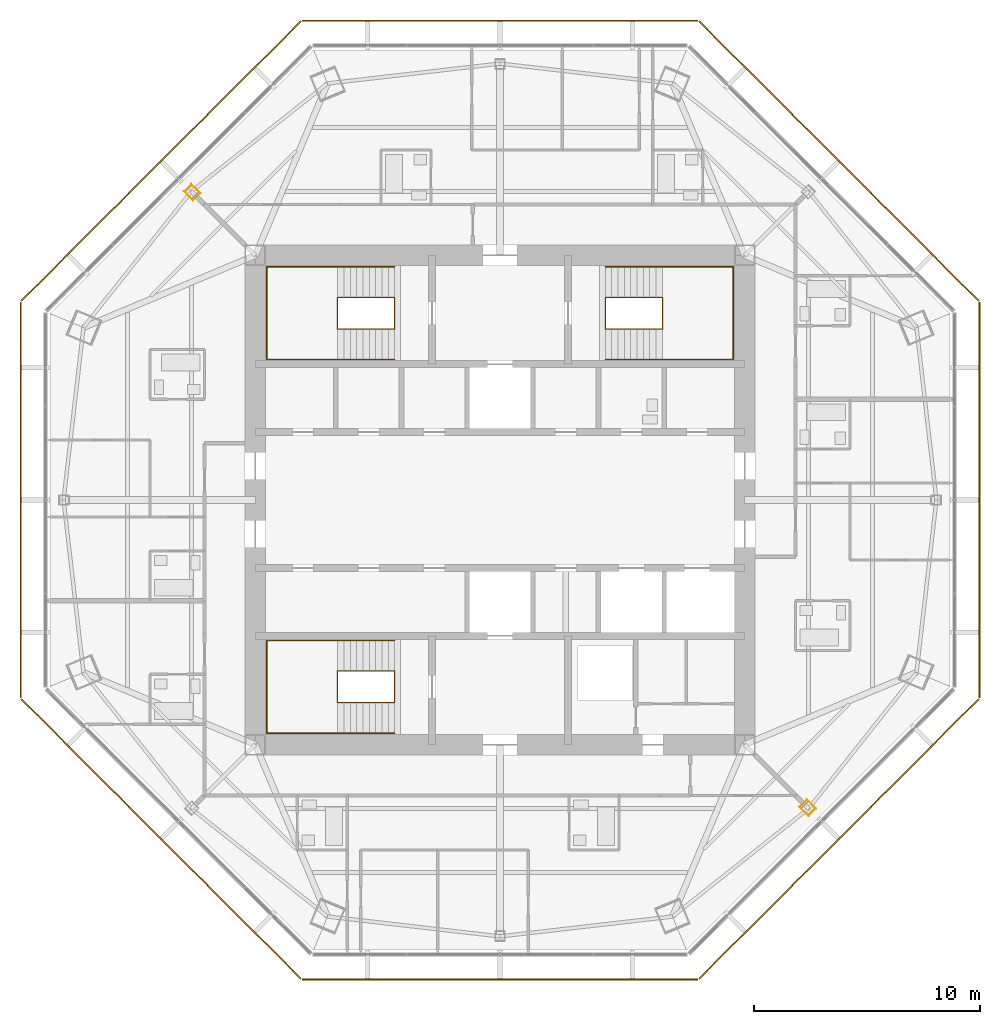
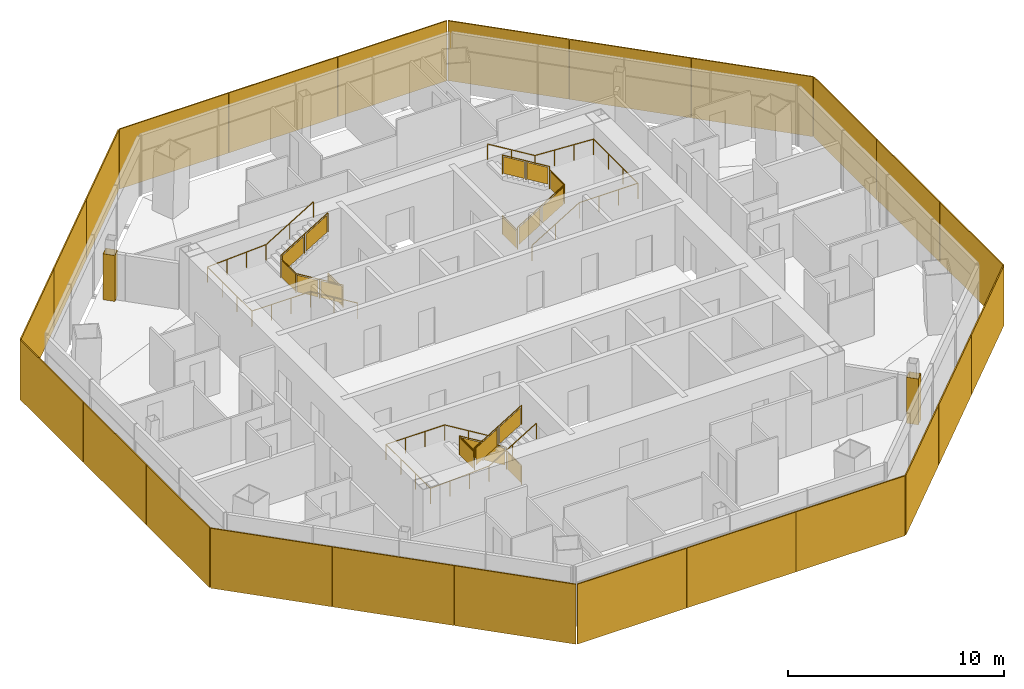
# One storey, part 14 of 15: 24 shading devices, 6 railings, 2 coverings.
"""IFC4 building model written with IfcOpenShell, lengths in metres."""

from ifc_helpers import new_model, si_unit, direction, frame, origin, origin_2d, place, context, subcontext, project, spatial, polyline, rectangle, circle, outline, extrude, source, transform, mapped, material, layer, layer_set, type_object, type_shapes, element, save


model = new_model("IFC4")

# Units and contexts
model_context = context("Model", 3, precision=1e-05, world=origin(), true_north=direction((0.0, 1.0)))
body_context = subcontext(model_context, "Body", "Model", "MODEL_VIEW")
ifc_project = project(units=[si_unit("LENGTHUNIT", "METRE"), si_unit("AREAUNIT", "SQUARE_METRE"), si_unit("VOLUMEUNIT", "CUBIC_METRE"), si_unit("PLANEANGLEUNIT", "RADIAN"), si_unit("MASSUNIT", "GRAM", prefix="KILO")], contexts=[model_context])

# Site, building, storey
site_placement = place(None, origin())
site = spatial("IfcSite", under=ifc_project, at=site_placement, CompositionType="ELEMENT")
building_placement = place(site_placement, origin())
building = spatial("IfcBuilding", under=site, at=building_placement, Name="Mashrafa Tower", CompositionType="ELEMENT")
storey_placement = place(building_placement, frame((0.0, 0.0, 281.0)))
storey = spatial("IfcBuildingStorey", under=building, at=storey_placement, Name="L68", CompositionType="ELEMENT", Elevation=281.0)

# Coverings
ifc_material_1 = material(Name="Gypsum board")
ifc_layer_1 = layer(ifc_material_1, 0.014892578125)
ifc_layer_set_1 = layer_set([ifc_layer_1], Name="Column casing plasterboard 15")
covering_type = type_object("IfcCoveringType", Name="Column casing plasterboard 15", PredefinedType="CLADDING", material=ifc_layer_set_1)
covering_1_placement = place(storey_placement, origin())
element("IfcCovering", 1, at=covering_1_placement, inside=storey, type_object=covering_type, Name="Column casing L68-001", PredefinedType="CLADDING", context=body_context, shape_type="SweptSolid", body=[
    extrude(outline(polyline([(-13.96240234375, 13.622802734375), (-13.622802734375, 13.96240234375), (-13.21533203125, 13.5546875), (-13.5546875, 13.21533203125), (-13.96240234375, 13.622802734375)]), holes=[polyline([(-13.236572265625, 13.5546875), (-13.622802734375, 13.941162109375), (-13.941162109375, 13.622802734375), (-13.5546875, 13.236572265625), (-13.236572265625, 13.5546875)])]), origin(), (0.0, 0.0, 1.0), 2.590576171875),
])
covering_2_placement = place(storey_placement, origin())
element("IfcCovering", 2, at=covering_2_placement, inside=storey, type_object=covering_type, Name="Column casing L68-002", PredefinedType="CLADDING", context=body_context, shape_type="SweptSolid", body=[
    extrude(outline(polyline([(13.21533203125, -13.5546875), (13.5546875, -13.21533203125), (13.96240234375, -13.622802734375), (13.622802734375, -13.96240234375), (13.21533203125, -13.5546875)]), holes=[polyline([(13.941162109375, -13.622802734375), (13.5546875, -13.236572265625), (13.236572265625, -13.5546875), (13.622802734375, -13.941162109375), (13.941162109375, -13.622802734375)])]), origin(), (0.0, 0.0, 1.0), 2.590576171875),
])

# Railings
ifc_material_2 = material(Name="Steel guard with glass infill", Category="steel")
railing_type_1 = type_object("IfcRailingType", Name="Stair guard 1100", PredefinedType="GUARDRAIL", material=ifc_material_2)
railing_1_placement = place(storey_placement, frame((-4.64990234375, 8.949951171875, 0.0)))
element("IfcRailing", 3, at=railing_1_placement, inside=storey, type_object=railing_type_1, Name="Stair S1 guard L68", PredefinedType="GUARDRAIL", context=body_context, shape_type="SweptSolid", body=[
    extrude(circle(Radius=0.02392578125, at=origin_2d()), frame((0.0, 0.0, 1.076171875), z_axis=(0.0, -1.0, 0.0), x_axis=(1.0, 0.0, 0.0)), (0.0, 0.0, 1.0), 1.39990234375),
    extrude(circle(Radius=0.02392578125, at=origin_2d()), frame((0.0, -1.39990234375, 1.076171875), z_axis=(0.0, 0.0, 1.0), x_axis=(1.0, 0.0, 0.0)), (0.0, 0.0, 1.0), 0.169921875),
    extrude(circle(Radius=0.02392578125, at=origin_2d()), frame((0.0, -1.39990234375, 1.24609375), z_axis=(-0.85478489116, 0.0, 0.518982456201), x_axis=(0.0, -1.0, 0.0)), (0.0, 0.0, 1.0), 2.9482421875),
    extrude(circle(Radius=0.02392578125, at=origin_2d()), frame((-2.52001953125, -1.39990234375, 2.77587890625), z_axis=(0.0, 1.0, 0.0), x_axis=(-1.0, 0.0, 0.0)), (0.0, 0.0, 1.0), 1.39990234375),
    extrude(circle(Radius=0.02392578125, at=origin_2d()), frame((-2.52001953125, 0.0, 2.77587890625), z_axis=(0.0, 0.0, 1.0), x_axis=(1.0, 0.0, 0.0)), (0.0, 0.0, 1.0), 0.170166015625),
    extrude(circle(Radius=0.02392578125, at=origin_2d()), frame((-2.52001953125, 0.0, 2.9462890625), z_axis=(0.854821627497, 0.0, 0.518921945155), x_axis=(0.0, 1.0, 0.0)), (0.0, 0.0, 1.0), 2.947998046875),
    extrude(circle(Radius=0.02099609375, at=origin_2d()), origin(), (0.0, 0.0, 1.0), 1.052001953125),
    extrude(circle(Radius=0.02099609375, at=origin_2d()), frame((0.0, -1.39990234375, 0.0)), (0.0, 0.0, 1.0), 1.052001953125),
    extrude(circle(Radius=0.02099609375, at=origin_2d()), frame((0.0, -1.39990234375, 0.169921875)), (0.0, 0.0, 1.0), 1.052001953125),
    extrude(circle(Radius=0.02099609375, at=origin_2d()), frame((-1.260009765625, -1.39990234375, 0.93505859375)), (0.0, 0.0, 1.0), 1.052001953125),
    extrude(circle(Radius=0.02099609375, at=origin_2d()), frame((-2.52001953125, -1.39990234375, 1.699951171875)), (0.0, 0.0, 1.0), 1.052001953125),
    extrude(circle(Radius=0.02099609375, at=origin_2d()), frame((-2.52001953125, 0.0, 1.699951171875)), (0.0, 0.0, 1.0), 1.052001953125),
    extrude(circle(Radius=0.02099609375, at=origin_2d()), frame((-2.52001953125, 0.0, 1.8701171875)), (0.0, 0.0, 1.0), 1.052001953125),
    extrude(circle(Radius=0.02099609375, at=origin_2d()), frame((-1.260009765625, 0.0, 2.635009765625)), (0.0, 0.0, 1.0), 1.052001953125),
    extrude(circle(Radius=0.02099609375, at=origin_2d()), frame((0.0, 0.0, 3.39990234375)), (0.0, 0.0, 1.0), 1.052001953125),
    extrude(outline(polyline([(0.071044921875, 0.050048828125), (1.328857421875, 0.050048828125), (1.328857421875, 1.001953125), (0.071044921875, 1.001953125), (0.071044921875, 0.050048828125)])), frame((-0.006103515625, 0.0, 0.0), z_axis=(-1.0, 0.0, 0.0), x_axis=(0.0, -1.0, 0.0)), (0.0, 0.0, 1.0), 0.011962890625),
    extrude(outline(polyline([(0.071044921875, 0.093017578125), (1.18896484375, 0.77197265625), (1.18896484375, 1.723876953125), (0.071044921875, 1.045166015625), (0.071044921875, 0.093017578125)])), frame((0.0, -1.393798828125, 0.169921875), z_axis=(0.0, 1.0, 0.0), x_axis=(-1.0, 0.0, 0.0)), (0.0, 0.0, 1.0), 0.011962890625),
    extrude(outline(polyline([(1.3310546875, 0.858154296875), (2.448974609375, 1.536865234375), (2.448974609375, 2.489013671875), (1.3310546875, 1.81005859375), (1.3310546875, 0.858154296875)])), frame((0.0, -1.393798828125, 0.169921875), z_axis=(0.0, 1.0, 0.0), x_axis=(-1.0, 0.0, 0.0)), (0.0, 0.0, 1.0), 0.011962890625),
    extrude(outline(polyline([(0.071044921875, 0.050048828125), (1.328857421875, 0.050048828125), (1.328857421875, 1.001953125), (0.071044921875, 1.001953125), (0.071044921875, 0.050048828125)])), frame((-2.513916015625, -1.39990234375, 1.699951171875), z_axis=(1.0, 0.0, 0.0), x_axis=(0.0, 1.0, 0.0)), (0.0, 0.0, 1.0), 0.011962890625),
    extrude(outline(polyline([(0.071044921875, 0.093017578125), (1.18896484375, 0.771728515625), (1.18896484375, 1.723876953125), (0.071044921875, 1.045166015625), (0.071044921875, 0.093017578125)])), frame((-2.52001953125, -0.006103515625, 1.8701171875), z_axis=(0.0, -1.0, 0.0), x_axis=(1.0, 0.0, 0.0)), (0.0, 0.0, 1.0), 0.011962890625),
    extrude(outline(polyline([(1.3310546875, 0.85791015625), (2.448974609375, 1.53662109375), (2.448974609375, 2.48876953125), (1.3310546875, 1.81005859375), (1.3310546875, 0.85791015625)])), frame((-2.52001953125, -0.006103515625, 1.8701171875), z_axis=(0.0, -1.0, 0.0), x_axis=(1.0, 0.0, 0.0)), (0.0, 0.0, 1.0), 0.011962890625),
])
railing_2_placement = place(storey_placement, frame((4.64990234375, 8.949951171875, 0.0)))
element("IfcRailing", 4, at=railing_2_placement, inside=storey, type_object=railing_type_1, Name="Stair S2 guard L68", PredefinedType="GUARDRAIL", context=body_context, shape_type="SweptSolid", body=[
    extrude(circle(Radius=0.02392578125, at=origin_2d()), frame((0.0, 0.0, 1.076171875), z_axis=(0.0, -1.0, 0.0), x_axis=(1.0, 0.0, 0.0)), (0.0, 0.0, 1.0), 1.39990234375),
    extrude(circle(Radius=0.02392578125, at=origin_2d()), frame((0.0, -1.39990234375, 1.076171875), z_axis=(0.0, 0.0, 1.0), x_axis=(1.0, 0.0, 0.0)), (0.0, 0.0, 1.0), 0.169921875),
    extrude(circle(Radius=0.02392578125, at=origin_2d()), frame((0.0, -1.39990234375, 1.24609375), z_axis=(0.85478489116, 0.0, 0.518982456201), x_axis=(0.0, 1.0, 0.0)), (0.0, 0.0, 1.0), 2.9482421875),
    extrude(circle(Radius=0.02392578125, at=origin_2d()), frame((2.52001953125, -1.39990234375, 2.77587890625), z_axis=(0.0, 1.0, 0.0), x_axis=(-1.0, 0.0, 0.0)), (0.0, 0.0, 1.0), 1.39990234375),
    extrude(circle(Radius=0.02392578125, at=origin_2d()), frame((2.52001953125, 0.0, 2.77587890625), z_axis=(0.0, 0.0, 1.0), x_axis=(1.0, 0.0, 0.0)), (0.0, 0.0, 1.0), 0.170166015625),
    extrude(circle(Radius=0.02392578125, at=origin_2d()), frame((2.52001953125, 0.0, 2.9462890625), z_axis=(-0.854821627497, 0.0, 0.518921945155), x_axis=(0.0, -1.0, 0.0)), (0.0, 0.0, 1.0), 2.947998046875),
    extrude(circle(Radius=0.02099609375, at=origin_2d()), origin(), (0.0, 0.0, 1.0), 1.052001953125),
    extrude(circle(Radius=0.02099609375, at=origin_2d()), frame((0.0, -1.39990234375, 0.0)), (0.0, 0.0, 1.0), 1.052001953125),
    extrude(circle(Radius=0.02099609375, at=origin_2d()), frame((0.0, -1.39990234375, 0.169921875)), (0.0, 0.0, 1.0), 1.052001953125),
    extrude(circle(Radius=0.02099609375, at=origin_2d()), frame((1.260009765625, -1.39990234375, 0.93505859375)), (0.0, 0.0, 1.0), 1.052001953125),
    extrude(circle(Radius=0.02099609375, at=origin_2d()), frame((2.52001953125, -1.39990234375, 1.699951171875)), (0.0, 0.0, 1.0), 1.052001953125),
    extrude(circle(Radius=0.02099609375, at=origin_2d()), frame((2.52001953125, 0.0, 1.699951171875)), (0.0, 0.0, 1.0), 1.052001953125),
    extrude(circle(Radius=0.02099609375, at=origin_2d()), frame((2.52001953125, 0.0, 1.8701171875)), (0.0, 0.0, 1.0), 1.052001953125),
    extrude(circle(Radius=0.02099609375, at=origin_2d()), frame((1.260009765625, 0.0, 2.635009765625)), (0.0, 0.0, 1.0), 1.052001953125),
    extrude(circle(Radius=0.02099609375, at=origin_2d()), frame((0.0, 0.0, 3.39990234375)), (0.0, 0.0, 1.0), 1.052001953125),
    extrude(outline(polyline([(0.071044921875, 0.050048828125), (1.328857421875, 0.050048828125), (1.328857421875, 1.001953125), (0.071044921875, 1.001953125), (0.071044921875, 0.050048828125)])), frame((-0.006103515625, 0.0, 0.0), z_axis=(-1.0, 0.0, 0.0), x_axis=(0.0, -1.0, 0.0)), (0.0, 0.0, 1.0), 0.011962890625),
    extrude(outline(polyline([(0.071044921875, 0.093017578125), (1.18896484375, 0.77197265625), (1.18896484375, 1.723876953125), (0.071044921875, 1.045166015625), (0.071044921875, 0.093017578125)])), frame((0.0, -1.406005859375, 0.169921875), z_axis=(0.0, -1.0, 0.0), x_axis=(1.0, 0.0, 0.0)), (0.0, 0.0, 1.0), 0.011962890625),
    extrude(outline(polyline([(1.3310546875, 0.858154296875), (2.448974609375, 1.536865234375), (2.448974609375, 2.489013671875), (1.3310546875, 1.81005859375), (1.3310546875, 0.858154296875)])), frame((0.0, -1.406005859375, 0.169921875), z_axis=(0.0, -1.0, 0.0), x_axis=(1.0, 0.0, 0.0)), (0.0, 0.0, 1.0), 0.011962890625),
    extrude(outline(polyline([(0.071044921875, 0.050048828125), (1.328857421875, 0.050048828125), (1.328857421875, 1.001953125), (0.071044921875, 1.001953125), (0.071044921875, 0.050048828125)])), frame((2.526123046875, -1.39990234375, 1.699951171875), z_axis=(1.0, 0.0, 0.0), x_axis=(0.0, 1.0, 0.0)), (0.0, 0.0, 1.0), 0.011962890625),
    extrude(outline(polyline([(0.071044921875, 0.093017578125), (1.18896484375, 0.771728515625), (1.18896484375, 1.723876953125), (0.071044921875, 1.045166015625), (0.071044921875, 0.093017578125)])), frame((2.52001953125, 0.006103515625, 1.8701171875), z_axis=(0.0, 1.0, 0.0), x_axis=(-1.0, 0.0, 0.0)), (0.0, 0.0, 1.0), 0.011962890625),
    extrude(outline(polyline([(1.3310546875, 0.85791015625), (2.448974609375, 1.53662109375), (2.448974609375, 2.48876953125), (1.3310546875, 1.81005859375), (1.3310546875, 0.85791015625)])), frame((2.52001953125, 0.006103515625, 1.8701171875), z_axis=(0.0, 1.0, 0.0), x_axis=(-1.0, 0.0, 0.0)), (0.0, 0.0, 1.0), 0.011962890625),
])
railing_3_placement = place(storey_placement, frame((-4.64990234375, -8.949951171875, 0.0)))
element("IfcRailing", 5, at=railing_3_placement, inside=storey, type_object=railing_type_1, Name="Stair S3 guard L68", PredefinedType="GUARDRAIL", context=body_context, shape_type="SweptSolid", body=[
    extrude(circle(Radius=0.02392578125, at=origin_2d()), frame((0.0, 0.0, 1.076171875), z_axis=(0.0, 1.0, 0.0), x_axis=(-1.0, 0.0, 0.0)), (0.0, 0.0, 1.0), 1.39990234375),
    extrude(circle(Radius=0.02392578125, at=origin_2d()), frame((0.0, 1.39990234375, 1.076171875), z_axis=(0.0, 0.0, 1.0), x_axis=(1.0, 0.0, 0.0)), (0.0, 0.0, 1.0), 0.169921875),
    extrude(circle(Radius=0.02392578125, at=origin_2d()), frame((0.0, 1.39990234375, 1.24609375), z_axis=(-0.85478489116, 0.0, 0.518982456201), x_axis=(0.0, -1.0, 0.0)), (0.0, 0.0, 1.0), 2.9482421875),
    extrude(circle(Radius=0.02392578125, at=origin_2d()), frame((-2.52001953125, 1.39990234375, 2.77587890625), z_axis=(0.0, -1.0, 0.0), x_axis=(1.0, 0.0, 0.0)), (0.0, 0.0, 1.0), 1.39990234375),
    extrude(circle(Radius=0.02392578125, at=origin_2d()), frame((-2.52001953125, 0.0, 2.77587890625), z_axis=(0.0, 0.0, 1.0), x_axis=(1.0, 0.0, 0.0)), (0.0, 0.0, 1.0), 0.170166015625),
    extrude(circle(Radius=0.02392578125, at=origin_2d()), frame((-2.52001953125, 0.0, 2.9462890625), z_axis=(0.854821627497, 0.0, 0.518921945155), x_axis=(0.0, 1.0, 0.0)), (0.0, 0.0, 1.0), 2.947998046875),
    extrude(circle(Radius=0.02099609375, at=origin_2d()), origin(), (0.0, 0.0, 1.0), 1.052001953125),
    extrude(circle(Radius=0.02099609375, at=origin_2d()), frame((0.0, 1.39990234375, 0.0)), (0.0, 0.0, 1.0), 1.052001953125),
    extrude(circle(Radius=0.02099609375, at=origin_2d()), frame((0.0, 1.39990234375, 0.169921875)), (0.0, 0.0, 1.0), 1.052001953125),
    extrude(circle(Radius=0.02099609375, at=origin_2d()), frame((-1.260009765625, 1.39990234375, 0.93505859375)), (0.0, 0.0, 1.0), 1.052001953125),
    extrude(circle(Radius=0.02099609375, at=origin_2d()), frame((-2.52001953125, 1.39990234375, 1.699951171875)), (0.0, 0.0, 1.0), 1.052001953125),
    extrude(circle(Radius=0.02099609375, at=origin_2d()), frame((-2.52001953125, 0.0, 1.699951171875)), (0.0, 0.0, 1.0), 1.052001953125),
    extrude(circle(Radius=0.02099609375, at=origin_2d()), frame((-2.52001953125, 0.0, 1.8701171875)), (0.0, 0.0, 1.0), 1.052001953125),
    extrude(circle(Radius=0.02099609375, at=origin_2d()), frame((-1.260009765625, 0.0, 2.635009765625)), (0.0, 0.0, 1.0), 1.052001953125),
    extrude(circle(Radius=0.02099609375, at=origin_2d()), frame((0.0, 0.0, 3.39990234375)), (0.0, 0.0, 1.0), 1.052001953125),
    extrude(outline(polyline([(0.071044921875, 0.050048828125), (1.328857421875, 0.050048828125), (1.328857421875, 1.001953125), (0.071044921875, 1.001953125), (0.071044921875, 0.050048828125)])), frame((0.006103515625, 0.0, 0.0), z_axis=(1.0, 0.0, 0.0), x_axis=(0.0, 1.0, 0.0)), (0.0, 0.0, 1.0), 0.011962890625),
    extrude(outline(polyline([(0.071044921875, 0.093017578125), (1.18896484375, 0.77197265625), (1.18896484375, 1.723876953125), (0.071044921875, 1.045166015625), (0.071044921875, 0.093017578125)])), frame((0.0, 1.406005859375, 0.169921875), z_axis=(0.0, 1.0, 0.0), x_axis=(-1.0, 0.0, 0.0)), (0.0, 0.0, 1.0), 0.011962890625),
    extrude(outline(polyline([(1.3310546875, 0.858154296875), (2.448974609375, 1.536865234375), (2.448974609375, 2.489013671875), (1.3310546875, 1.81005859375), (1.3310546875, 0.858154296875)])), frame((0.0, 1.406005859375, 0.169921875), z_axis=(0.0, 1.0, 0.0), x_axis=(-1.0, 0.0, 0.0)), (0.0, 0.0, 1.0), 0.011962890625),
    extrude(outline(polyline([(0.071044921875, 0.050048828125), (1.328857421875, 0.050048828125), (1.328857421875, 1.001953125), (0.071044921875, 1.001953125), (0.071044921875, 0.050048828125)])), frame((-2.526123046875, 1.39990234375, 1.699951171875), z_axis=(-1.0, 0.0, 0.0), x_axis=(0.0, -1.0, 0.0)), (0.0, 0.0, 1.0), 0.011962890625),
    extrude(outline(polyline([(0.071044921875, 0.093017578125), (1.18896484375, 0.771728515625), (1.18896484375, 1.723876953125), (0.071044921875, 1.045166015625), (0.071044921875, 0.093017578125)])), frame((-2.52001953125, -0.006103515625, 1.8701171875), z_axis=(0.0, -1.0, 0.0), x_axis=(1.0, 0.0, 0.0)), (0.0, 0.0, 1.0), 0.011962890625),
    extrude(outline(polyline([(1.3310546875, 0.85791015625), (2.448974609375, 1.53662109375), (2.448974609375, 2.48876953125), (1.3310546875, 1.81005859375), (1.3310546875, 0.85791015625)])), frame((-2.52001953125, -0.006103515625, 1.8701171875), z_axis=(0.0, -1.0, 0.0), x_axis=(1.0, 0.0, 0.0)), (0.0, 0.0, 1.0), 0.011962890625),
])
ifc_material_3 = material(Name="Steel", Category="steel")
railing_type_2 = type_object("IfcRailingType", Name="Stair handrail 900", PredefinedType="HANDRAIL", material=ifc_material_3)
railing_4_placement = place(storey_placement, frame((-4.64990234375, 6.199951171875, 0.169921875)))
element("IfcRailing", 6, at=railing_4_placement, inside=storey, type_object=railing_type_2, Name="Stair S1 handrail L68", PredefinedType="HANDRAIL", context=body_context, shape_type="SweptSolid", body=[
    extrude(circle(Radius=0.02392578125, at=origin_2d()), frame((0.0, 0.0, 0.8759765625), z_axis=(-0.85478489116, 0.0, 0.518982456201), x_axis=(0.0, -1.0, 0.0)), (0.0, 0.0, 1.0), 2.9482421875),
    extrude(circle(Radius=0.02392578125, at=origin_2d()), frame((-2.52001953125, 0.0, 2.40576171875), z_axis=(-1.0, 0.0, 0.0), x_axis=(0.0, -1.0, 0.0)), (0.0, 0.0, 1.0), 3.130126953125),
    extrude(circle(Radius=0.02392578125, at=origin_2d()), frame((-5.650146484375, 0.0, 2.40576171875), z_axis=(0.0, 1.0, 0.0), x_axis=(-1.0, 0.0, 0.0)), (0.0, 0.0, 1.0), 4.10009765625),
    extrude(circle(Radius=0.02392578125, at=origin_2d()), frame((-5.650146484375, 4.10009765625, 2.40576171875), z_axis=(0.998525548763, 0.0, 0.054283777201), x_axis=(0.0, 1.0, 0.0)), (0.0, 0.0, 1.0), 3.134765625),
    extrude(circle(Radius=0.02392578125, at=origin_2d()), frame((-2.52001953125, 4.10009765625, 2.576171875), z_axis=(0.854821627497, 0.0, 0.518921945155), x_axis=(0.0, 1.0, 0.0)), (0.0, 0.0, 1.0), 2.947998046875),
    extrude(circle(Radius=0.02099609375, at=origin_2d()), origin(), (0.0, 0.0, 1.0), 0.851806640625),
    extrude(circle(Radius=0.02099609375, at=origin_2d()), frame((-1.260009765625, 0.0, 0.76513671875)), (0.0, 0.0, 1.0), 0.851806640625),
    extrude(circle(Radius=0.02099609375, at=origin_2d()), frame((-2.52001953125, 0.0, 1.530029296875)), (0.0, 0.0, 1.0), 0.851806640625),
    extrude(circle(Radius=0.02099609375, at=origin_2d()), frame((-3.5634765625, 0.0, 1.530029296875)), (0.0, 0.0, 1.0), 0.851806640625),
    extrude(circle(Radius=0.02099609375, at=origin_2d()), frame((-4.606689453125, 0.0, 1.530029296875)), (0.0, 0.0, 1.0), 0.851806640625),
    extrude(circle(Radius=0.02099609375, at=origin_2d()), frame((-5.650146484375, 0.0, 1.530029296875)), (0.0, 0.0, 1.0), 0.851806640625),
    extrude(circle(Radius=0.02099609375, at=origin_2d()), frame((-5.650146484375, 1.36669921875, 1.530029296875)), (0.0, 0.0, 1.0), 0.851806640625),
    extrude(circle(Radius=0.02099609375, at=origin_2d()), frame((-5.650146484375, 2.7333984375, 1.530029296875)), (0.0, 0.0, 1.0), 0.851806640625),
    extrude(circle(Radius=0.02099609375, at=origin_2d()), frame((-5.650146484375, 4.10009765625, 1.530029296875)), (0.0, 0.0, 1.0), 0.851806640625),
    extrude(circle(Radius=0.02099609375, at=origin_2d()), frame((-4.606689453125, 4.10009765625, 1.586669921875)), (0.0, 0.0, 1.0), 0.851806640625),
    extrude(circle(Radius=0.02099609375, at=origin_2d()), frame((-3.5634765625, 4.10009765625, 1.6435546875)), (0.0, 0.0, 1.0), 0.851806640625),
    extrude(circle(Radius=0.02099609375, at=origin_2d()), frame((-2.52001953125, 4.10009765625, 1.7001953125)), (0.0, 0.0, 1.0), 0.851806640625),
    extrude(circle(Radius=0.02099609375, at=origin_2d()), frame((-1.260009765625, 4.10009765625, 2.465087890625)), (0.0, 0.0, 1.0), 0.851806640625),
    extrude(circle(Radius=0.02099609375, at=origin_2d()), frame((0.0, 4.10009765625, 3.22998046875)), (0.0, 0.0, 1.0), 0.851806640625),
])
railing_5_placement = place(storey_placement, frame((4.64990234375, 6.199951171875, 0.169921875)))
element("IfcRailing", 7, at=railing_5_placement, inside=storey, type_object=railing_type_2, Name="Stair S2 handrail L68", PredefinedType="HANDRAIL", context=body_context, shape_type="SweptSolid", body=[
    extrude(circle(Radius=0.02392578125, at=origin_2d()), frame((0.0, 0.0, 0.8759765625), z_axis=(0.85478489116, 0.0, 0.518982456201), x_axis=(0.0, 1.0, 0.0)), (0.0, 0.0, 1.0), 2.9482421875),
    extrude(circle(Radius=0.02392578125, at=origin_2d()), frame((2.52001953125, 0.0, 2.40576171875), z_axis=(1.0, 0.0, 0.0), x_axis=(0.0, 1.0, 0.0)), (0.0, 0.0, 1.0), 3.130126953125),
    extrude(circle(Radius=0.02392578125, at=origin_2d()), frame((5.650146484375, 0.0, 2.40576171875), z_axis=(0.0, 1.0, 0.0), x_axis=(-1.0, 0.0, 0.0)), (0.0, 0.0, 1.0), 4.10009765625),
    extrude(circle(Radius=0.02392578125, at=origin_2d()), frame((5.650146484375, 4.10009765625, 2.40576171875), z_axis=(-0.998525548763, 0.0, 0.054283777201), x_axis=(0.0, -1.0, 0.0)), (0.0, 0.0, 1.0), 3.134765625),
    extrude(circle(Radius=0.02392578125, at=origin_2d()), frame((2.52001953125, 4.10009765625, 2.576171875), z_axis=(-0.854821627497, 0.0, 0.518921945155), x_axis=(0.0, -1.0, 0.0)), (0.0, 0.0, 1.0), 2.947998046875),
    extrude(circle(Radius=0.02099609375, at=origin_2d()), origin(), (0.0, 0.0, 1.0), 0.851806640625),
    extrude(circle(Radius=0.02099609375, at=origin_2d()), frame((1.260009765625, 0.0, 0.76513671875)), (0.0, 0.0, 1.0), 0.851806640625),
    extrude(circle(Radius=0.02099609375, at=origin_2d()), frame((2.52001953125, 0.0, 1.530029296875)), (0.0, 0.0, 1.0), 0.851806640625),
    extrude(circle(Radius=0.02099609375, at=origin_2d()), frame((3.5634765625, 0.0, 1.530029296875)), (0.0, 0.0, 1.0), 0.851806640625),
    extrude(circle(Radius=0.02099609375, at=origin_2d()), frame((4.606689453125, 0.0, 1.530029296875)), (0.0, 0.0, 1.0), 0.851806640625),
    extrude(circle(Radius=0.02099609375, at=origin_2d()), frame((5.650146484375, 0.0, 1.530029296875)), (0.0, 0.0, 1.0), 0.851806640625),
    extrude(circle(Radius=0.02099609375, at=origin_2d()), frame((5.650146484375, 1.36669921875, 1.530029296875)), (0.0, 0.0, 1.0), 0.851806640625),
    extrude(circle(Radius=0.02099609375, at=origin_2d()), frame((5.650146484375, 2.7333984375, 1.530029296875)), (0.0, 0.0, 1.0), 0.851806640625),
    extrude(circle(Radius=0.02099609375, at=origin_2d()), frame((5.650146484375, 4.10009765625, 1.530029296875)), (0.0, 0.0, 1.0), 0.851806640625),
    extrude(circle(Radius=0.02099609375, at=origin_2d()), frame((4.606689453125, 4.10009765625, 1.586669921875)), (0.0, 0.0, 1.0), 0.851806640625),
    extrude(circle(Radius=0.02099609375, at=origin_2d()), frame((3.5634765625, 4.10009765625, 1.6435546875)), (0.0, 0.0, 1.0), 0.851806640625),
    extrude(circle(Radius=0.02099609375, at=origin_2d()), frame((2.52001953125, 4.10009765625, 1.7001953125)), (0.0, 0.0, 1.0), 0.851806640625),
    extrude(circle(Radius=0.02099609375, at=origin_2d()), frame((1.260009765625, 4.10009765625, 2.465087890625)), (0.0, 0.0, 1.0), 0.851806640625),
    extrude(circle(Radius=0.02099609375, at=origin_2d()), frame((0.0, 4.10009765625, 3.22998046875)), (0.0, 0.0, 1.0), 0.851806640625),
])
railing_6_placement = place(storey_placement, frame((-4.64990234375, -6.199951171875, 0.169921875)))
element("IfcRailing", 8, at=railing_6_placement, inside=storey, type_object=railing_type_2, Name="Stair S3 handrail L68", PredefinedType="HANDRAIL", context=body_context, shape_type="SweptSolid", body=[
    extrude(circle(Radius=0.02392578125, at=origin_2d()), frame((0.0, 0.0, 0.8759765625), z_axis=(-0.85478489116, 0.0, 0.518982456201), x_axis=(0.0, -1.0, 0.0)), (0.0, 0.0, 1.0), 2.9482421875),
    extrude(circle(Radius=0.02392578125, at=origin_2d()), frame((-2.52001953125, 0.0, 2.40576171875), z_axis=(-1.0, 0.0, 0.0), x_axis=(0.0, -1.0, 0.0)), (0.0, 0.0, 1.0), 3.130126953125),
    extrude(circle(Radius=0.02392578125, at=origin_2d()), frame((-5.650146484375, 0.0, 2.40576171875), z_axis=(0.0, -1.0, 0.0), x_axis=(1.0, 0.0, 0.0)), (0.0, 0.0, 1.0), 4.10009765625),
    extrude(circle(Radius=0.02392578125, at=origin_2d()), frame((-5.650146484375, -4.10009765625, 2.40576171875), z_axis=(0.998525548763, 0.0, 0.054283777201), x_axis=(0.0, 1.0, 0.0)), (0.0, 0.0, 1.0), 3.134765625),
    extrude(circle(Radius=0.02392578125, at=origin_2d()), frame((-2.52001953125, -4.10009765625, 2.576171875), z_axis=(0.854821627497, 0.0, 0.518921945155), x_axis=(0.0, 1.0, 0.0)), (0.0, 0.0, 1.0), 2.947998046875),
    extrude(circle(Radius=0.02099609375, at=origin_2d()), origin(), (0.0, 0.0, 1.0), 0.851806640625),
    extrude(circle(Radius=0.02099609375, at=origin_2d()), frame((-1.260009765625, 0.0, 0.76513671875)), (0.0, 0.0, 1.0), 0.851806640625),
    extrude(circle(Radius=0.02099609375, at=origin_2d()), frame((-2.52001953125, 0.0, 1.530029296875)), (0.0, 0.0, 1.0), 0.851806640625),
    extrude(circle(Radius=0.02099609375, at=origin_2d()), frame((-3.5634765625, 0.0, 1.530029296875)), (0.0, 0.0, 1.0), 0.851806640625),
    extrude(circle(Radius=0.02099609375, at=origin_2d()), frame((-4.606689453125, 0.0, 1.530029296875)), (0.0, 0.0, 1.0), 0.851806640625),
    extrude(circle(Radius=0.02099609375, at=origin_2d()), frame((-5.650146484375, 0.0, 1.530029296875)), (0.0, 0.0, 1.0), 0.851806640625),
    extrude(circle(Radius=0.02099609375, at=origin_2d()), frame((-5.650146484375, -1.36669921875, 1.530029296875)), (0.0, 0.0, 1.0), 0.851806640625),
    extrude(circle(Radius=0.02099609375, at=origin_2d()), frame((-5.650146484375, -2.7333984375, 1.530029296875)), (0.0, 0.0, 1.0), 0.851806640625),
    extrude(circle(Radius=0.02099609375, at=origin_2d()), frame((-5.650146484375, -4.10009765625, 1.530029296875)), (0.0, 0.0, 1.0), 0.851806640625),
    extrude(circle(Radius=0.02099609375, at=origin_2d()), frame((-4.606689453125, -4.10009765625, 1.586669921875)), (0.0, 0.0, 1.0), 0.851806640625),
    extrude(circle(Radius=0.02099609375, at=origin_2d()), frame((-3.5634765625, -4.10009765625, 1.6435546875)), (0.0, 0.0, 1.0), 0.851806640625),
    extrude(circle(Radius=0.02099609375, at=origin_2d()), frame((-2.52001953125, -4.10009765625, 1.7001953125)), (0.0, 0.0, 1.0), 0.851806640625),
    extrude(circle(Radius=0.02099609375, at=origin_2d()), frame((-1.260009765625, -4.10009765625, 2.465087890625)), (0.0, 0.0, 1.0), 0.851806640625),
    extrude(circle(Radius=0.02099609375, at=origin_2d()), frame((0.0, -4.10009765625, 3.22998046875)), (0.0, 0.0, 1.0), 0.851806640625),
])

# Shading devices
ifc_material_4 = material(Name="Perforated aluminium plate, eight-point star pattern", Category="aluminium")
ifc_layer_2 = layer(ifc_material_4, 0.06005859375)
ifc_layer_set_2 = layer_set([ifc_layer_2], Name="Mashrabiya screen panel apartment zone 4, 22 percent open")
shading_device_type = type_object("IfcShadingDeviceType", Name="Mashrabiya screen panel apartment zone 4, 22 percent open", PredefinedType="SHUTTER", material=ifc_layer_set_2)
shared_shape = source(origin(), body_context, "Body", "SweptSolid", [
    extrude(rectangle(XDim=5.809814453125, YDim=0.06005859375, at=origin_2d()), origin(), (0.0, 0.0, 1.0), 3.3798828125),
])
type_shapes(shading_device_type, [shared_shape])
for number, where, z_axis, x_axis, name in (
    (9, (21.16552734375, -5.829833984375, -0.14990234375), (0.0, 0.0, 1.0), (0.0, 1.0, 0.0), "Mashrabiya screen L68 east 1"),
    (10, (21.16552734375, 0.0, -0.14990234375), (0.0, 0.0, 1.0), (0.0, 1.0, 0.0), "Mashrabiya screen L68 east 2"),
    (11, (21.16552734375, 5.829833984375, -0.14990234375), (0.0, 0.0, 1.0), (0.0, 1.0, 0.0), "Mashrabiya screen L68 east 3"),
    (12, (19.088623046875, 10.843994140625, -0.14990234375), (0.0, 0.0, 1.0), (-0.707106781187, 0.707106781187, 0.0), "Mashrabiya screen L68 north-east 1"),
    (13, (14.96630859375, 14.96630859375, -0.14990234375), (0.0, 0.0, 1.0), (-0.707106781187, 0.707106781187, 0.0), "Mashrabiya screen L68 north-east 2"),
    (14, (10.843994140625, 19.088623046875, -0.14990234375), (0.0, 0.0, 1.0), (-0.707106781187, 0.707106781187, 0.0), "Mashrabiya screen L68 north-east 3"),
    (15, (5.829833984375, 21.16552734375, -0.14990234375), (0.0, 0.0, 1.0), (-1.0, 0.0, 0.0), "Mashrabiya screen L68 north 1"),
    (16, (0.0, 21.16552734375, -0.14990234375), (0.0, 0.0, 1.0), (-1.0, 0.0, 0.0), "Mashrabiya screen L68 north 2"),
    (17, (-5.829833984375, 21.16552734375, -0.14990234375), (0.0, 0.0, 1.0), (-1.0, 0.0, 0.0), "Mashrabiya screen L68 north 3"),
    (18, (-10.843994140625, 19.088623046875, -0.14990234375), (0.0, 0.0, 1.0), (-0.707106781187, -0.707106781187, 0.0), "Mashrabiya screen L68 north-west 1"),
    (19, (-14.96630859375, 14.96630859375, -0.14990234375), (0.0, 0.0, 1.0), (-0.707106781187, -0.707106781187, 0.0), "Mashrabiya screen L68 north-west 2"),
    (20, (-19.088623046875, 10.843994140625, -0.14990234375), (0.0, 0.0, 1.0), (-0.707106781187, -0.707106781187, 0.0), "Mashrabiya screen L68 north-west 3"),
    (21, (-21.16552734375, 5.829833984375, -0.14990234375), (0.0, 0.0, 1.0), (0.0, -1.0, 0.0), "Mashrabiya screen L68 west 1"),
    (22, (-21.16552734375, 0.0, -0.14990234375), (0.0, 0.0, 1.0), (0.0, -1.0, 0.0), "Mashrabiya screen L68 west 2"),
    (23, (-21.16552734375, -5.829833984375, -0.14990234375), (0.0, 0.0, 1.0), (0.0, -1.0, 0.0), "Mashrabiya screen L68 west 3"),
    (24, (-19.088623046875, -10.843994140625, -0.14990234375), (0.0, 0.0, 1.0), (0.707106781187, -0.707106781187, 0.0), "Mashrabiya screen L68 south-west 1"),
    (25, (-14.96630859375, -14.96630859375, -0.14990234375), (0.0, 0.0, 1.0), (0.707106781187, -0.707106781187, 0.0), "Mashrabiya screen L68 south-west 2"),
    (26, (-10.843994140625, -19.088623046875, -0.14990234375), (0.0, 0.0, 1.0), (0.707106781187, -0.707106781187, 0.0), "Mashrabiya screen L68 south-west 3"),
    (27, (-5.829833984375, -21.16552734375, -0.14990234375), (0.0, 0.0, 1.0), (1.0, 0.0, 0.0), "Mashrabiya screen L68 south 1"),
    (28, (0.0, -21.16552734375, -0.14990234375), (0.0, 0.0, 1.0), (1.0, 0.0, 0.0), "Mashrabiya screen L68 south 2"),
    (29, (5.829833984375, -21.16552734375, -0.14990234375), (0.0, 0.0, 1.0), (1.0, 0.0, 0.0), "Mashrabiya screen L68 south 3"),
    (30, (10.843994140625, -19.088623046875, -0.14990234375), (0.0, 0.0, 1.0), (0.707106781187, 0.707106781187, 0.0), "Mashrabiya screen L68 south-east 1"),
    (31, (14.96630859375, -14.96630859375, -0.14990234375), (0.0, 0.0, 1.0), (0.707106781187, 0.707106781187, 0.0), "Mashrabiya screen L68 south-east 2"),
    (32, (19.088623046875, -10.843994140625, -0.14990234375), (0.0, 0.0, 1.0), (0.707106781187, 0.707106781187, 0.0), "Mashrabiya screen L68 south-east 3"),
):
    element("IfcShadingDevice", number, at=place(storey_placement, frame(where, z_axis=z_axis, x_axis=x_axis)), inside=storey, type_object=shading_device_type, Name=name, PredefinedType="SHUTTER", context=body_context, shape_type="MappedRepresentation", body=[
        mapped(shared_shape, transform((0.0, 0.0, 0.0))),
    ])

save(model, "model.ifc")
